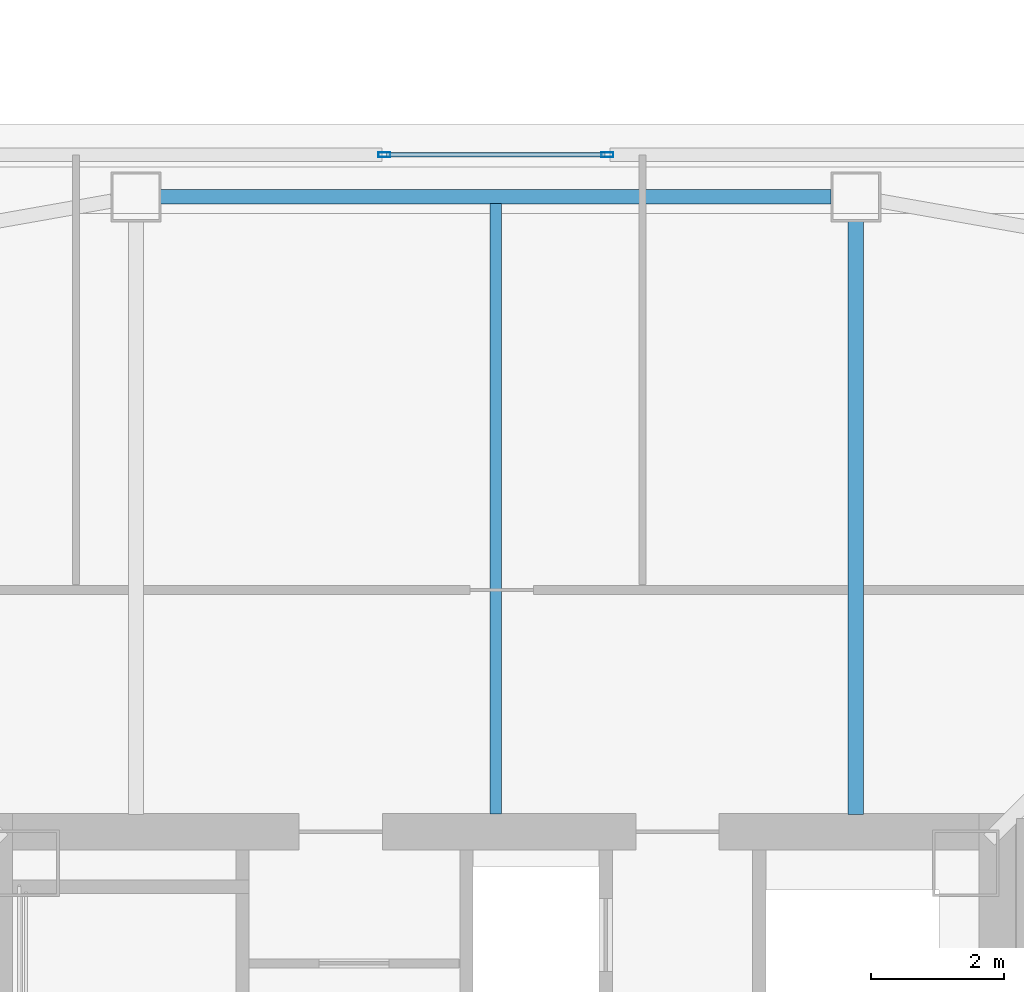
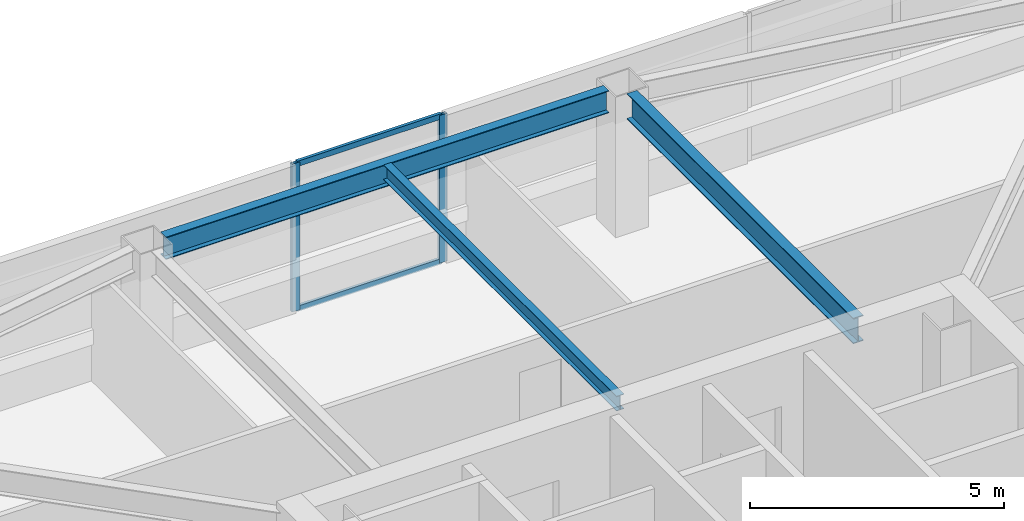
# One storey, part 14 of 43: 4 members, 3 beams, 1 element without a shape of its own.
"""IFC4 building model written with IfcOpenShell, lengths in metres."""

from ifc_helpers import new_model, si_unit, direction, frame, origin, origin_2d, place, context, subcontext, project, spatial, hollow_rectangle, i_section, extrude, material, material_profile, profile_set, type_object, element, aggregate, save


model = new_model("IFC4")

# Units and contexts
model_context = context("Model", 3, precision=1e-05, world=origin(), true_north=direction((0.0, 1.0)))
body_context = subcontext(model_context, "Body", "Model", "MODEL_VIEW")
ifc_project = project(units=[si_unit("LENGTHUNIT", "METRE"), si_unit("AREAUNIT", "SQUARE_METRE"), si_unit("VOLUMEUNIT", "CUBIC_METRE"), si_unit("PLANEANGLEUNIT", "RADIAN"), si_unit("MASSUNIT", "GRAM", prefix="KILO")], contexts=[model_context])

# Site, building, storey
site_placement = place(None, origin())
site = spatial("IfcSite", under=ifc_project, at=site_placement, CompositionType="ELEMENT")
building_placement = place(site_placement, origin())
building = spatial("IfcBuilding", under=site, at=building_placement, Name="Tashvorn Skyway Center", CompositionType="ELEMENT")
storey_placement = place(building_placement, frame((0.0, 0.0, 185.39990234375)))
storey = spatial("IfcBuildingStorey", under=building, at=storey_placement, Name="L50", CompositionType="ELEMENT", Elevation=185.39990234375)

# Beams
ifc_material_1 = material(Name="Steel ASTM A992 Grade 50", Category="steel")
ifc_material_profile_1 = material_profile(ifc_material_1, i_section(OverallWidth=0.22998046875, OverallDepth=0.616943359375, WebThickness=0.01318359375, FlangeThickness=0.022216796875, at=origin_2d()), Name="W24X94")
ifc_profile_set_1 = profile_set([ifc_material_profile_1], Name="Steel ASTM A992 Grade 50")
beam_type_1 = type_object("IfcBeamType", Name="BM-BEAM-W24X94", PredefinedType="BEAM", material=ifc_profile_set_1)
beam_1_placement = place(storey_placement, frame((47.39990234375, 48.679931640625, 3.0615234375), z_axis=(0.0, -1.0, 0.0), x_axis=(1.0, 0.0, 0.0)))
element("IfcBeam", 1, at=beam_1_placement, inside=storey, type_object=beam_type_1, Name="Tower 1 L50 Primary Floor Girder FC-N1", PredefinedType="BEAM", context=body_context, shape_type="SweptSolid", body=[
    extrude(i_section(OverallWidth=0.22998046875, OverallDepth=0.616943359375, WebThickness=0.01318359375, FlangeThickness=0.022216796875, at=origin_2d()), origin(), (0.0, 0.0, 1.0), 8.89990234375),
])
ifc_material_profile_2 = material_profile(ifc_material_1, i_section(OverallWidth=0.1708984375, OverallDepth=0.35498046875, WebThickness=0.007080078125, FlangeThickness=0.01171875, at=origin_2d()), Name="W14X34")
ifc_profile_set_2 = profile_set([ifc_material_profile_2], Name="Steel ASTM A992 Grade 50")
beam_type_2 = type_object("IfcBeamType", Name="BM-JOIST-W14X34", PredefinedType="JOIST", material=ifc_profile_set_2)
beam_2_placement = place(storey_placement, frame((42.0, 39.7900390625, 3.192626953125), z_axis=(0.0, 1.0, 0.0), x_axis=(-1.0, 0.0, 0.0)))
element("IfcBeam", 2, at=beam_2_placement, inside=storey, type_object=beam_type_2, Name="Tower 1 L50 Secondary Composite Joist JN", PredefinedType="JOIST", context=body_context, shape_type="SweptSolid", body=[
    extrude(i_section(OverallWidth=0.1708984375, OverallDepth=0.35498046875, WebThickness=0.007080078125, FlangeThickness=0.01171875, at=origin_2d()), origin(), (0.0, 0.0, 1.0), 9.162353515625),
])
ifc_material_profile_3 = material_profile(ifc_material_1, i_section(OverallWidth=0.2109375, OverallDepth=0.5390625, WebThickness=0.01171875, FlangeThickness=0.018798828125, at=origin_2d()), Name="W21X73")
ifc_profile_set_3 = profile_set([ifc_material_profile_3], Name="Steel ASTM A992 Grade 50")
beam_type_3 = type_object("IfcBeamType", Name="BM-SPANDREL-W21X73", PredefinedType="SPANDREL", material=ifc_profile_set_3)
beam_3_placement = place(storey_placement, frame((47.030029296875, 49.050048828125, 3.1005859375), z_axis=(-1.0, 0.0, 0.0), x_axis=(0.0, -1.0, 0.0)))
element("IfcBeam", 3, at=beam_3_placement, inside=storey, type_object=beam_type_3, Name="Tower 1 L50 Spandrel Beam 08", PredefinedType="SPANDREL", context=body_context, shape_type="SweptSolid", body=[
    extrude(i_section(OverallWidth=0.2109375, OverallDepth=0.5390625, WebThickness=0.01171875, FlangeThickness=0.018798828125, at=origin_2d()), origin(), (0.0, 0.0, 1.0), 10.06005859375),
])

# Curtain wall, members
ifc_material_2 = material(Name="Thermally broken bronze-anodized aluminium 6063-T6", Category="aluminium")
curtain_wall_type = type_object("IfcCurtainWallType", Name="CW-CW-Z4", PredefinedType="NOTDEFINED", material=ifc_material_2)
curtain_wall_placement = place(storey_placement, origin())
curtain_wall = element("IfcCurtainWall", 4, at=curtain_wall_placement, inside=storey, type_object=curtain_wall_type, Name="Tower 1 L50 North Unitised Curtain Wall Glazing Group 2", PredefinedType="NOTDEFINED")
ifc_material_profile_4 = material_profile(ifc_material_2, hollow_rectangle(XDim=0.070068359375, YDim=0.179931640625, WallThickness=0.00390625, at=origin_2d()), Name="ALU-MULL-70x180")
ifc_profile_set_4 = profile_set([ifc_material_profile_4], Name="Thermally broken bronze-anodized aluminium 6063-T6")
member_type_1 = type_object("IfcMemberType", Name="CWM-CW-Z4", PredefinedType="MULLION", material=ifc_profile_set_4)
member_1_placement = place(storey_placement, frame((40.326171875, 49.679931640625, 0.0), z_axis=(0.0, 0.0, 1.0), x_axis=(0.0, 1.0, 0.0)))
member_1 = element("IfcMember", 5, at=member_1_placement, type_object=member_type_1, Name="CW-Z4 mullion 1", PredefinedType="MULLION", context=body_context, shape_type="SweptSolid", body=[
    extrude(hollow_rectangle(XDim=0.070068359375, YDim=0.179931640625, WallThickness=0.00390625, at=origin_2d()), origin(), (0.0, 0.0, 1.0), 3.550048828125),
])
member_2_placement = place(storey_placement, frame((43.673828125, 49.679931640625, 0.0), z_axis=(0.0, 0.0, 1.0), x_axis=(0.0, 1.0, 0.0)))
member_2 = element("IfcMember", 6, at=member_2_placement, type_object=member_type_1, Name="CW-Z4 mullion 2", PredefinedType="MULLION", context=body_context, shape_type="SweptSolid", body=[
    extrude(hollow_rectangle(XDim=0.070068359375, YDim=0.179931640625, WallThickness=0.00390625, at=origin_2d()), origin(), (0.0, 0.0, 1.0), 3.550048828125),
])
ifc_material_profile_5 = material_profile(ifc_material_2, hollow_rectangle(XDim=0.070068359375, YDim=0.1298828125, WallThickness=0.00390625, at=origin_2d()), Name="ALU-TRAN-70x130")
ifc_profile_set_5 = profile_set([ifc_material_profile_5], Name="Thermally broken bronze-anodized aluminium 6063-T6")
member_type_2 = type_object("IfcMemberType", Name="CWT-CW-Z4", PredefinedType="USERDEFINED", material=ifc_profile_set_5)
member_3_placement = place(storey_placement, frame((40.361083984375, 49.679931640625, 0.03515625), z_axis=(1.0, 0.0, 0.0), x_axis=(0.0, 1.0, 0.0)))
member_3 = element("IfcMember", 7, at=member_3_placement, type_object=member_type_2, Name="CW-Z4 transom 1.1", ObjectType="TRANSOM", PredefinedType="USERDEFINED", context=body_context, shape_type="SweptSolid", body=[
    extrude(hollow_rectangle(XDim=0.070068359375, YDim=0.1298828125, WallThickness=0.00390625, at=origin_2d()), origin(), (0.0, 0.0, 1.0), 3.27783203125),
])
member_4_placement = place(storey_placement, frame((40.361083984375, 49.679931640625, 3.51513671875), z_axis=(1.0, 0.0, 0.0), x_axis=(0.0, 1.0, 0.0)))
member_4 = element("IfcMember", 8, at=member_4_placement, type_object=member_type_2, Name="CW-Z4 transom 1.2", ObjectType="TRANSOM", PredefinedType="USERDEFINED", context=body_context, shape_type="SweptSolid", body=[
    extrude(hollow_rectangle(XDim=0.070068359375, YDim=0.1298828125, WallThickness=0.00390625, at=origin_2d()), origin(), (0.0, 0.0, 1.0), 3.27783203125),
])
aggregate(curtain_wall, [member_1, member_2, member_3, member_4])

save(model, "model.ifc")
